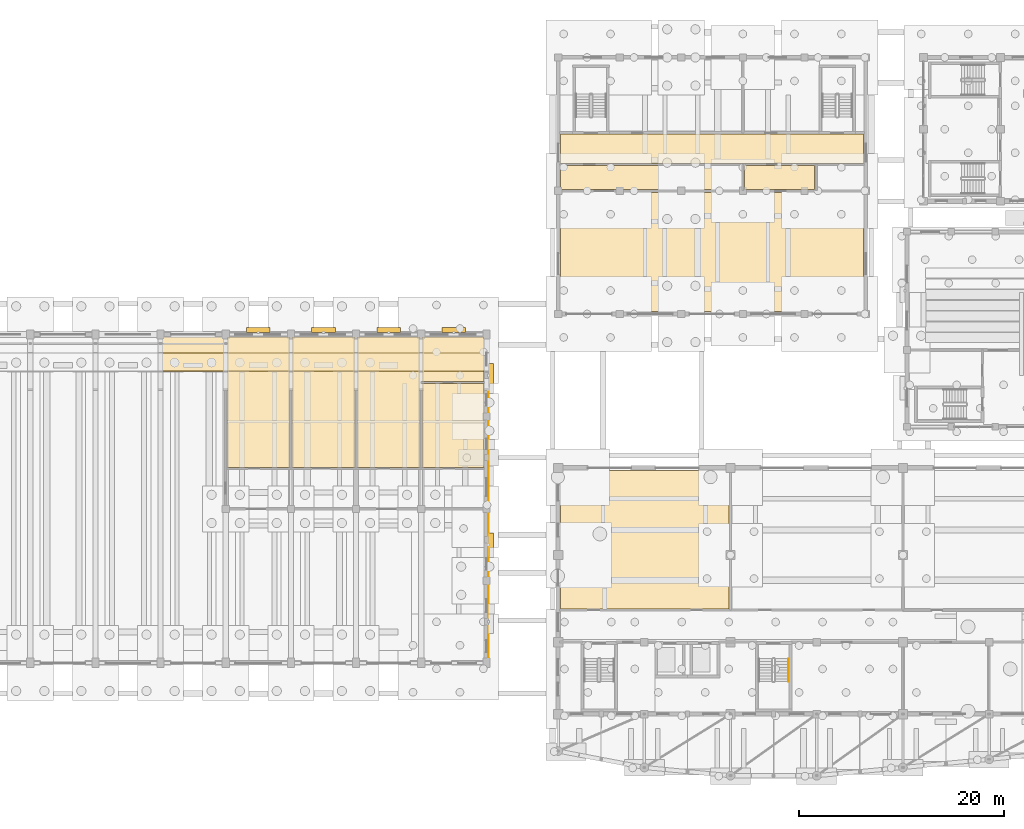
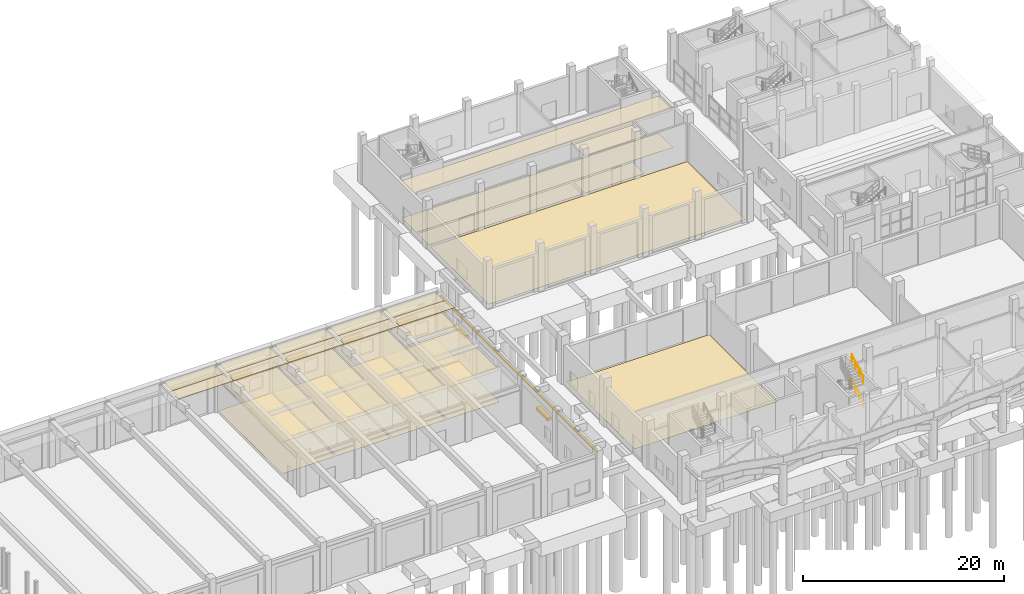
# One storey, part 54 of 60: 28 coverings, 6 shading devices, 2 railings.
"""IFC4 building model written with IfcOpenShell, lengths in metres."""

from ifc_helpers import new_model, si_unit, direction, frame, origin, origin_2d, place, context, subcontext, project, spatial, polyline, rectangle, circle, outline, extrude, material, layer, layer_set, type_object, element, save


model = new_model("IFC4")

# Units and contexts
model_context = context("Model", 3, precision=1e-05, world=origin(), true_north=direction((0.0, 1.0)))
body_context = subcontext(model_context, "Body", "Model", "MODEL_VIEW")
ifc_project = project(units=[si_unit("LENGTHUNIT", "METRE"), si_unit("AREAUNIT", "SQUARE_METRE"), si_unit("VOLUMEUNIT", "CUBIC_METRE"), si_unit("PLANEANGLEUNIT", "RADIAN"), si_unit("MASSUNIT", "GRAM", prefix="KILO")], contexts=[model_context])

# Site, building, storey
site_placement = place(None, origin())
site = spatial("IfcSite", under=ifc_project, at=site_placement, CompositionType="ELEMENT")
building_placement = place(site_placement, origin())
building = spatial("IfcBuilding", under=site, at=building_placement, Name="Trellovar Central Fire Station", CompositionType="ELEMENT")
storey_placement = place(building_placement, origin())
storey = spatial("IfcBuildingStorey", under=building, at=storey_placement, Name="L01", CompositionType="ELEMENT", Elevation=0.0)

# Coverings
ifc_material_1 = material(Name="Glazed ceramic trencadis and terracotta panel", Category="masonry")
ifc_layer_1 = layer(ifc_material_1, 0.044921875)
ifc_layer_set_1 = layer_set([ifc_layer_1], Name="Glazed ceramic trencadis and terracotta panel")
covering_type_1 = type_object("IfcCoveringType", Name="COV-CLD1", PredefinedType="CLADDING", material=ifc_layer_set_1)
covering_1_placement = place(storey_placement, frame((98.7099609375, 30.0, 4.875), z_axis=(0.0, 0.0, 1.0), x_axis=(1.0, 0.0, 0.0)))
element("IfcCovering", 1, at=covering_1_placement, inside=storey, type_object=covering_type_1, Name="V1 E gable ceramic trencadis frieze", PredefinedType="CLADDING", context=body_context, shape_type="SweptSolid", body=[
    extrude(rectangle(XDim=0.044921875, YDim=31.199951171875, at=origin_2d()), origin(), (0.0, 0.0, 1.0), 0.550048828125),
])
ifc_material_2 = material(Name="Perforated acoustic mineral fiber ceiling tile", Category="mineral")
ifc_layer_2 = layer(ifc_material_2, 0.02490234375)
ifc_layer_set_2 = layer_set([ifc_layer_2], Name="Perforated acoustic mineral fiber ceiling tile")
covering_type_2 = type_object("IfcCoveringType", Name="COV-CLG1", PredefinedType="CEILING", material=ifc_layer_set_2)
covering_2_placement = place(storey_placement, frame((0.0, 0.0, 3.830078125)))
element("IfcCovering", 2, at=covering_2_placement, inside=storey, type_object=covering_type_2, Name="Station Watch Room and Turnout Control suspended ceiling", PredefinedType="CEILING", context=body_context, shape_type="SweptSolid", body=[
    extrude(outline(polyline([(79.35009765625, 33.050048828125), (73.25, 33.050048828125), (73.25, 45.75), (79.35009765625, 45.75), (79.35009765625, 33.050048828125)])), origin(), (0.0, 0.0, 1.0), 0.02490234375),
])
covering_3_placement = place(storey_placement, frame((0.0, 0.0, 3.830078125)))
element("IfcCovering", 3, at=covering_3_placement, inside=storey, type_object=covering_type_2, Name="Station Ready Kitchen and Coffee Mess suspended ceiling", PredefinedType="CEILING", context=body_context, shape_type="SweptSolid", body=[
    extrude(outline(polyline([(85.699951171875, 33.050048828125), (79.550048828125, 33.050048828125), (79.550048828125, 45.75), (85.699951171875, 45.75), (85.699951171875, 33.050048828125)])), origin(), (0.0, 0.0, 1.0), 0.02490234375),
])
covering_4_placement = place(storey_placement, frame((0.0, 0.0, 3.830078125)))
element("IfcCovering", 4, at=covering_4_placement, inside=storey, type_object=covering_type_2, Name="Bay Turnout Decontamination and Hose Store suspended ceiling", PredefinedType="CEILING", context=body_context, shape_type="SweptSolid", body=[
    extrude(outline(polyline([(92.050048828125, 33.050048828125), (85.89990234375, 33.050048828125), (85.89990234375, 45.75), (92.050048828125, 45.75), (92.050048828125, 33.050048828125)])), origin(), (0.0, 0.0, 1.0), 0.02490234375),
])
covering_5_placement = place(storey_placement, frame((0.0, 0.0, 3.830078125)))
element("IfcCovering", 5, at=covering_5_placement, inside=storey, type_object=covering_type_2, Name="Company Officer Bay Office suspended ceiling", PredefinedType="CEILING", context=body_context, shape_type="SweptSolid", body=[
    extrude(outline(polyline([(98.25, 33.050048828125), (92.25, 33.050048828125), (92.25, 41.199951171875), (98.25, 41.199951171875), (98.25, 33.050048828125)])), origin(), (0.0, 0.0, 1.0), 0.02490234375),
])
covering_6_placement = place(storey_placement, frame((0.0, 0.0, 4.530029296875)))
element("IfcCovering", 6, at=covering_6_placement, inside=storey, type_object=covering_type_2, Name="Fleet Protected Exit Corridor suspended ceiling", PredefinedType="CEILING", context=body_context, shape_type="SweptSolid", body=[
    extrude(outline(polyline([(135.25, 62.64990234375), (105.75, 62.64990234375), (105.75, 65.550048828125), (135.25, 65.550048828125), (135.25, 62.64990234375)])), origin(), (0.0, 0.0, 1.0), 0.02490234375),
])
ifc_material_3 = material(Name="Moisture-resistant gypsum ceiling board", Category="gypsum")
ifc_layer_3 = layer(ifc_material_3, 0.030029296875)
ifc_layer_set_3 = layer_set([ifc_layer_3], Name="Moisture-resistant gypsum ceiling board")
covering_type_3 = type_object("IfcCoveringType", Name="COV-CLG2", PredefinedType="CEILING", material=ifc_layer_set_3)
covering_7_placement = place(storey_placement, frame((0.0, 0.0, 3.830078125)))
element("IfcCovering", 7, at=covering_7_placement, inside=storey, type_object=covering_type_3, Name="Bay Duty Accessible WC suspended ceiling", PredefinedType="CEILING", context=body_context, shape_type="SweptSolid", body=[
    extrude(outline(polyline([(98.25, 41.39990234375), (92.25, 41.39990234375), (92.25, 45.75), (98.25, 45.75), (98.25, 41.39990234375)])), origin(), (0.0, 0.0, 1.0), 0.030029296875),
])
covering_8_placement = place(storey_placement, frame((0.0, 0.0, 4.530029296875)))
element("IfcCovering", 8, at=covering_8_placement, inside=storey, type_object=covering_type_3, Name="Workshop Staff Accessible WC suspended ceiling", PredefinedType="CEILING", context=body_context, shape_type="SweptSolid", body=[
    extrude(outline(polyline([(130.5, 60.14990234375), (123.64990234375, 60.14990234375), (123.64990234375, 62.449951171875), (130.5, 62.449951171875), (130.5, 60.14990234375)])), origin(), (0.0, 0.0, 1.0), 0.030029296875),
])
ifc_material_4 = material(Name="Heavy-duty slip-resistant quartz epoxy flooring", Category="finish")
ifc_layer_4 = layer(ifc_material_4, 0.014892578125)
ifc_layer_set_4 = layer_set([ifc_layer_4], Name="Heavy-duty slip-resistant quartz epoxy flooring")
covering_type_4 = type_object("IfcCoveringType", Name="COV-FLR1", PredefinedType="FLOORING", material=ifc_layer_set_4)
covering_9_placement = place(storey_placement, origin())
element("IfcCovering", 9, at=covering_9_placement, inside=storey, type_object=covering_type_4, Name="Reserve Hazmat Apparatus Bay 1 floor finish", PredefinedType="FLOORING", context=body_context, shape_type="SweptSolid", body=[
    extrude(outline(polyline([(122.14990234375, 19.25), (105.75, 19.25), (105.75, 32.75), (122.14990234375, 32.75), (122.14990234375, 19.25)])), origin(), (0.0, 0.0, 1.0), 0.014892578125),
])
covering_10_placement = place(storey_placement, origin())
element("IfcCovering", 10, at=covering_10_placement, inside=storey, type_object=covering_type_4, Name="Heavy Fleet Maintenance Workshop Bays floor finish", PredefinedType="FLOORING", context=body_context, shape_type="SweptSolid", body=[
    extrude(outline(polyline([(135.25, 48.25), (105.75, 48.25), (105.75, 59.85009765625), (135.25, 59.85009765625), (135.25, 48.25)])), origin(), (0.0, 0.0, 1.0), 0.014892578125),
])
covering_11_placement = place(storey_placement, origin())
element("IfcCovering", 11, at=covering_11_placement, inside=storey, type_object=covering_type_4, Name="Apparatus Tire and Hydraulics Shop floor finish", PredefinedType="FLOORING", context=body_context, shape_type="SweptSolid", body=[
    extrude(outline(polyline([(123.35009765625, 60.14990234375), (105.75, 60.14990234375), (105.75, 62.449951171875), (123.35009765625, 62.449951171875), (123.35009765625, 60.14990234375)])), origin(), (0.0, 0.0, 1.0), 0.014892578125),
])
ifc_material_5 = material(Name="Vitrified Catalan ceramic floor tile", Category="masonry")
ifc_layer_5 = layer(ifc_material_5, 0.01806640625)
ifc_layer_set_5 = layer_set([ifc_layer_5], Name="Vitrified Catalan ceramic floor tile")
covering_type_5 = type_object("IfcCoveringType", Name="COV-FLR2", PredefinedType="FLOORING", material=ifc_layer_set_5)
covering_12_placement = place(storey_placement, origin())
element("IfcCovering", 12, at=covering_12_placement, inside=storey, type_object=covering_type_5, Name="Station Watch Room and Turnout Control floor finish", PredefinedType="FLOORING", context=body_context, shape_type="SweptSolid", body=[
    extrude(outline(polyline([(79.35009765625, 33.050048828125), (73.25, 33.050048828125), (73.25, 45.75), (79.35009765625, 45.75), (79.35009765625, 33.050048828125)])), origin(), (0.0, 0.0, 1.0), 0.01806640625),
])
covering_13_placement = place(storey_placement, origin())
element("IfcCovering", 13, at=covering_13_placement, inside=storey, type_object=covering_type_5, Name="Station Ready Kitchen and Coffee Mess floor finish", PredefinedType="FLOORING", context=body_context, shape_type="SweptSolid", body=[
    extrude(outline(polyline([(85.699951171875, 33.050048828125), (79.550048828125, 33.050048828125), (79.550048828125, 45.75), (85.699951171875, 45.75), (85.699951171875, 33.050048828125)])), origin(), (0.0, 0.0, 1.0), 0.01806640625),
])
covering_14_placement = place(storey_placement, origin())
element("IfcCovering", 14, at=covering_14_placement, inside=storey, type_object=covering_type_5, Name="Bay Turnout Decontamination and Hose Store floor finish", PredefinedType="FLOORING", context=body_context, shape_type="SweptSolid", body=[
    extrude(outline(polyline([(92.050048828125, 33.050048828125), (85.89990234375, 33.050048828125), (85.89990234375, 45.75), (92.050048828125, 45.75), (92.050048828125, 33.050048828125)])), origin(), (0.0, 0.0, 1.0), 0.01806640625),
])
covering_15_placement = place(storey_placement, origin())
element("IfcCovering", 15, at=covering_15_placement, inside=storey, type_object=covering_type_5, Name="Company Officer Bay Office floor finish", PredefinedType="FLOORING", context=body_context, shape_type="SweptSolid", body=[
    extrude(outline(polyline([(98.25, 33.050048828125), (92.25, 33.050048828125), (92.25, 41.199951171875), (98.25, 41.199951171875), (98.25, 33.050048828125)])), origin(), (0.0, 0.0, 1.0), 0.01806640625),
])
covering_16_placement = place(storey_placement, origin())
element("IfcCovering", 16, at=covering_16_placement, inside=storey, type_object=covering_type_5, Name="Bay Duty Accessible WC floor finish", PredefinedType="FLOORING", context=body_context, shape_type="SweptSolid", body=[
    extrude(outline(polyline([(98.25, 41.39990234375), (92.25, 41.39990234375), (92.25, 45.75), (98.25, 45.75), (98.25, 41.39990234375)])), origin(), (0.0, 0.0, 1.0), 0.01806640625),
])
covering_17_placement = place(storey_placement, origin())
element("IfcCovering", 17, at=covering_17_placement, inside=storey, type_object=covering_type_5, Name="Fleet Protected Exit Corridor floor finish", PredefinedType="FLOORING", context=body_context, shape_type="SweptSolid", body=[
    extrude(outline(polyline([(135.25, 62.64990234375), (105.75, 62.64990234375), (105.75, 65.550048828125), (135.25, 65.550048828125), (135.25, 62.64990234375)])), origin(), (0.0, 0.0, 1.0), 0.01806640625),
])
covering_18_placement = place(storey_placement, origin())
element("IfcCovering", 18, at=covering_18_placement, inside=storey, type_object=covering_type_5, Name="Workshop Staff Accessible WC floor finish", PredefinedType="FLOORING", context=body_context, shape_type="SweptSolid", body=[
    extrude(outline(polyline([(130.5, 60.14990234375), (123.64990234375, 60.14990234375), (123.64990234375, 62.449951171875), (130.5, 62.449951171875), (130.5, 60.14990234375)])), origin(), (0.0, 0.0, 1.0), 0.01806640625),
])
ifc_material_6 = material(Name="Glazed ceramic trencadis roofing", Category="masonry")
ifc_layer_6 = layer(ifc_material_6, 0.06005859375)
ifc_layer_set_6 = layer_set([ifc_layer_6], Name="Glazed ceramic trencadis roofing")
covering_type_6 = type_object("IfcCoveringType", Name="COV-RF1", PredefinedType="ROOFING", material=ifc_layer_set_6)
covering_19_placement = place(storey_placement, frame((66.75, 42.421875, 5.722900390625), z_axis=(0.0, 0.109848847061, 0.993948303887), x_axis=(1.0, 0.0, 0.0)))
element("IfcCovering", 19, at=covering_19_placement, inside=storey, type_object=covering_type_6, Name="Glazed trencadis vault covering V1-06-17", PredefinedType="ROOFING", context=body_context, shape_type="SweptSolid", body=[
    extrude(outline(polyline([(0.0, 0.0), (6.35009765625, 0.0), (6.35009765625, 1.7935689781639053), (0.0, 1.7935689781639053), (0.0, 0.0)])), origin(), (0.0, 0.0, -1.0), 0.06005859375),
])
covering_20_placement = place(storey_placement, frame((66.75, 44.2109375, 5.525390625), z_axis=(0.0, 0.036451169566, 0.999335435296), x_axis=(1.0, 0.0, 0.0)))
element("IfcCovering", 20, at=covering_20_placement, inside=storey, type_object=covering_type_6, Name="Glazed trencadis vault covering V1-06-18", PredefinedType="ROOFING", context=body_context, shape_type="SweptSolid", body=[
    extrude(outline(polyline([(0.0, 0.0), (6.35009765625, 0.0), (6.35009765625, 1.7882978146087087), (0.0, 1.7882978146087087), (0.0, 0.0)])), origin(), (0.0, 0.0, -1.0), 0.06005859375),
])
covering_21_placement = place(storey_placement, frame((73.10009765625, 42.421875, 5.722900390625), z_axis=(0.0, 0.109848847061, 0.993948303887), x_axis=(1.0, 0.0, 0.0)))
element("IfcCovering", 21, at=covering_21_placement, inside=storey, type_object=covering_type_6, Name="Glazed trencadis vault covering V1-07-17", PredefinedType="ROOFING", context=body_context, shape_type="SweptSolid", body=[
    extrude(outline(polyline([(0.0, 0.0), (6.349853515625, 0.0), (6.349853515625, 1.7935689781639055), (0.0, 1.7935689781639055), (0.0, 0.0)])), origin(), (0.0, 0.0, -1.0), 0.06005859375),
])
covering_22_placement = place(storey_placement, frame((73.10009765625, 44.2109375, 5.525390625), z_axis=(0.0, 0.036451169566, 0.999335435296), x_axis=(1.0, 0.0, 0.0)))
element("IfcCovering", 22, at=covering_22_placement, inside=storey, type_object=covering_type_6, Name="Glazed trencadis vault covering V1-07-18", PredefinedType="ROOFING", context=body_context, shape_type="SweptSolid", body=[
    extrude(outline(polyline([(0.0, 0.0), (6.349853515625, 0.0), (6.349853515625, 1.7882978146087087), (0.0, 1.7882978146087087), (0.0, 0.0)])), origin(), (0.0, 0.0, -1.0), 0.06005859375),
])
covering_23_placement = place(storey_placement, frame((79.449951171875, 42.421875, 5.722900390625), z_axis=(0.0, 0.109848847061, 0.993948303887), x_axis=(1.0, 0.0, 0.0)))
element("IfcCovering", 23, at=covering_23_placement, inside=storey, type_object=covering_type_6, Name="Glazed trencadis vault covering V1-08-17", PredefinedType="ROOFING", context=body_context, shape_type="SweptSolid", body=[
    extrude(outline(polyline([(0.0, 0.0), (6.35009765625, 0.0), (6.35009765625, 1.7935689781639053), (0.0, 1.7935689781639053), (0.0, 0.0)])), origin(), (0.0, 0.0, -1.0), 0.06005859375),
])
covering_24_placement = place(storey_placement, frame((79.449951171875, 44.2109375, 5.525390625), z_axis=(0.0, 0.036451169566, 0.999335435296), x_axis=(1.0, 0.0, 0.0)))
element("IfcCovering", 24, at=covering_24_placement, inside=storey, type_object=covering_type_6, Name="Glazed trencadis vault covering V1-08-18", PredefinedType="ROOFING", context=body_context, shape_type="SweptSolid", body=[
    extrude(outline(polyline([(0.0, 0.0), (6.35009765625, 0.0), (6.35009765625, 1.7882978146087087), (0.0, 1.7882978146087087), (0.0, 0.0)])), origin(), (0.0, 0.0, -1.0), 0.06005859375),
])
covering_25_placement = place(storey_placement, frame((85.800048828125, 42.421875, 5.722900390625), z_axis=(0.0, 0.109848847061, 0.993948303887), x_axis=(1.0, 0.0, 0.0)))
element("IfcCovering", 25, at=covering_25_placement, inside=storey, type_object=covering_type_6, Name="Glazed trencadis vault covering V1-09-17", PredefinedType="ROOFING", context=body_context, shape_type="SweptSolid", body=[
    extrude(outline(polyline([(0.0, 0.0), (6.349853515625, 0.0), (6.349853515625, 1.7935689781639055), (0.0, 1.7935689781639055), (0.0, 0.0)])), origin(), (0.0, 0.0, -1.0), 0.06005859375),
])
covering_26_placement = place(storey_placement, frame((85.800048828125, 44.2109375, 5.525390625), z_axis=(0.0, 0.036451169566, 0.999335435296), x_axis=(1.0, 0.0, 0.0)))
element("IfcCovering", 26, at=covering_26_placement, inside=storey, type_object=covering_type_6, Name="Glazed trencadis vault covering V1-09-18", PredefinedType="ROOFING", context=body_context, shape_type="SweptSolid", body=[
    extrude(outline(polyline([(0.0, 0.0), (6.349853515625, 0.0), (6.349853515625, 1.7882978146087087), (0.0, 1.7882978146087087), (0.0, 0.0)])), origin(), (0.0, 0.0, -1.0), 0.06005859375),
])
covering_27_placement = place(storey_placement, frame((92.14990234375, 42.421875, 5.722900390625), z_axis=(0.0, 0.109848847061, 0.993948303887), x_axis=(1.0, 0.0, 0.0)))
element("IfcCovering", 27, at=covering_27_placement, inside=storey, type_object=covering_type_6, Name="Glazed trencadis vault covering V1-10-17", PredefinedType="ROOFING", context=body_context, shape_type="SweptSolid", body=[
    extrude(outline(polyline([(0.0, 0.0), (6.35009765625, 0.0), (6.35009765625, 1.7935689781639053), (0.0, 1.7935689781639053), (0.0, 0.0)])), origin(), (0.0, 0.0, -1.0), 0.06005859375),
])
covering_28_placement = place(storey_placement, frame((92.14990234375, 44.2109375, 5.525390625), z_axis=(0.0, 0.036451169566, 0.999335435296), x_axis=(1.0, 0.0, 0.0)))
element("IfcCovering", 28, at=covering_28_placement, inside=storey, type_object=covering_type_6, Name="Glazed trencadis vault covering V1-10-18", PredefinedType="ROOFING", context=body_context, shape_type="SweptSolid", body=[
    extrude(outline(polyline([(0.0, 0.0), (6.35009765625, 0.0), (6.35009765625, 1.7882978146087087), (0.0, 1.7882978146087087), (0.0, 0.0)])), origin(), (0.0, 0.0, -1.0), 0.06005859375),
])

# Railings
ifc_material_7 = material(Name="Patina bronze wrought metalwork", Category="metal")
ifc_layer_7 = layer(ifc_material_7, 0.048095703125)
ifc_layer_set_7 = layer_set([ifc_layer_7], Name="Patina bronze wrought metalwork")
railing_type = type_object("IfcRailingType", Name="RL-STAIR", PredefinedType="HANDRAIL", material=ifc_layer_set_7)
for number, where, name in (
    (29, (127.949951171875, 12.159912109375, 1.625), "L01 ST-02 stair handrail 2"),
    (30, (127.949951171875, 12.159912109375, 4.550048828125), "L01 ST-02 stair handrail 4"),
):
    element("IfcRailing", number, at=place(storey_placement, frame(where)), inside=storey, type_object=railing_type, Name=name, PredefinedType="HANDRAIL", context=body_context, shape_type="SweptSolid", body=[
        extrude(circle(Radius=0.02392578125, at=origin_2d()), frame((0.0, 0.0, 0.8759765625), z_axis=(0.0, 0.864887963814, 0.501964949025), x_axis=(-1.0, 0.0, 0.0)), (0.0, 0.0, 1.0), 2.58984375),
        extrude(circle(Radius=0.02099609375, at=origin_2d()), origin(), (0.0, 0.0, 1.0), 0.851806640625),
        extrude(circle(Radius=0.02099609375, at=origin_2d()), frame((0.0, 0.74658203125, 0.433349609375)), (0.0, 0.0, 1.0), 0.851806640625),
        extrude(circle(Radius=0.02099609375, at=origin_2d()), frame((0.0, 1.493408203125, 0.86669921875)), (0.0, 0.0, 1.0), 0.851806640625),
        extrude(circle(Radius=0.02099609375, at=origin_2d()), frame((0.0, 2.239990234375, 1.300048828125)), (0.0, 0.0, 1.0), 0.851806640625),
    ])

# Shading devices
ifc_material_8 = material(Name="Glazed ceramic trencadis and terracotta panel", Category="masonry")
shading_device_type = type_object("IfcShadingDeviceType", Name="SHD-LV1", PredefinedType="JALOUSIE", material=ifc_material_8)
for number, where, z_axis, x_axis, name in (
    (31, (76.27490234375, 46.43505859375, 2.68017578125), (0.0, 0.0, 1.0), (1.0, 0.0, 0.0), "L01 Catalan solar brise-soleil LV-1"),
    (32, (82.625, 46.43505859375, 2.68017578125), (0.0, 0.0, 1.0), (1.0, 0.0, 0.0), "L01 Catalan solar brise-soleil LV-1"),
    (33, (88.97509765625, 46.43505859375, 2.68017578125), (0.0, 0.0, 1.0), (1.0, 0.0, 0.0), "L01 Catalan solar brise-soleil LV-1"),
    (34, (95.324951171875, 46.43505859375, 2.68017578125), (0.0, 0.0, 1.0), (1.0, 0.0, 0.0), "L01 Catalan solar brise-soleil LV-1"),
    (35, (98.945068359375, 25.5, 2.77978515625), (0.0, 0.0, 1.0), (0.0, 1.0, 0.0), "L01 Catalan solar brise-soleil LV-1"),
    (36, (98.945068359375, 42.0, 2.77978515625), (0.0, 0.0, 1.0), (0.0, 1.0, 0.0), "L01 Catalan solar brise-soleil LV-1"),
):
    element("IfcShadingDevice", number, at=place(storey_placement, frame(where, z_axis=z_axis, x_axis=x_axis)), inside=storey, type_object=shading_device_type, Name=name, PredefinedType="JALOUSIE", context=body_context, shape_type="SweptSolid", body=[
        extrude(rectangle(XDim=2.300048828125, YDim=0.5, at=origin_2d()), origin(), (0.0, 0.0, 1.0), 0.340087890625),
    ])

save(model, "model.ifc")
